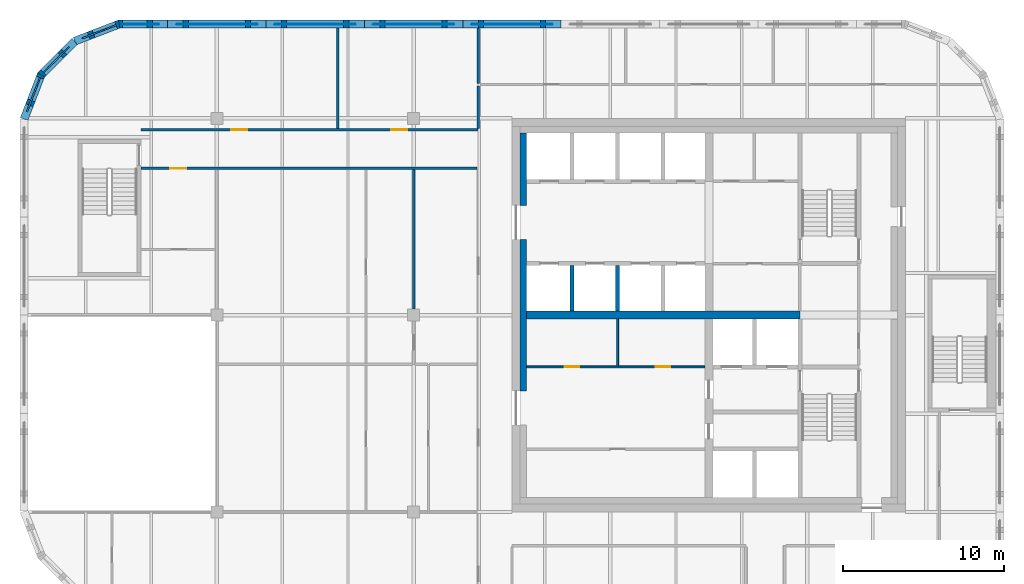
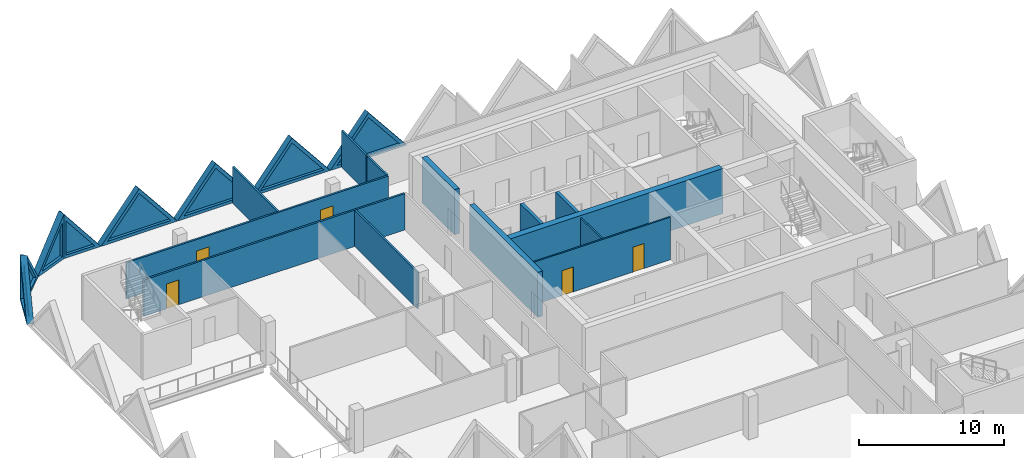
# One storey, part 7 of 11: 21 walls, 8 plates, 5 doors, 13 openings.
"""IFC4 building model written with IfcOpenShell, lengths in metres."""

from ifc_helpers import new_model, si_unit, direction, frame, frame_2d, origin, place, context, subcontext, project, spatial, polyline, rectangle, outline, extrude, faceted_brep, source, transform, mapped, material, layer, layer_set, type_object, element, fill, save


model = new_model("IFC4")

# Units and contexts
model_context = context("Model", 3, precision=1e-05, world=origin(), true_north=direction((0.0, 1.0)))
body_context = subcontext(model_context, "Body", "Model", "MODEL_VIEW")
ifc_project = project(units=[si_unit("LENGTHUNIT", "METRE"), si_unit("AREAUNIT", "SQUARE_METRE"), si_unit("VOLUMEUNIT", "CUBIC_METRE"), si_unit("PLANEANGLEUNIT", "RADIAN"), si_unit("MASSUNIT", "GRAM", prefix="KILO")], contexts=[model_context])

# Site, building, storey
site_placement = place(None, origin())
site = spatial("IfcSite", under=ifc_project, at=site_placement, CompositionType="ELEMENT")
building_placement = place(site_placement, origin())
building = spatial("IfcBuilding", under=site, at=building_placement, Name="Tessera Gate Towers", CompositionType="ELEMENT")
storey_placement = place(building_placement, frame((0.0, 0.0, 197.89990234375)))
storey = spatial("IfcBuildingStorey", under=building, at=storey_placement, Name="L49", CompositionType="ELEMENT", Elevation=197.89990234375)

# Walls
ifc_material_1 = material(Name="Concrete C40/50", Category="concrete")
ifc_layer_1 = layer(ifc_material_1, 0.25)
ifc_layer_set_1 = layer_set([ifc_layer_1], Name="CORE ENCLOSURE WALL 250")
wall_type_1 = type_object("IfcWallType", Name="CORE ENCLOSURE WALL 250", PredefinedType="SOLIDWALL", material=ifc_layer_set_1)
for number, where, z_axis, x_axis, name in (
    (1, (34.22509765625, 36.85009765625, 0.0), (0.0, 0.0, 1.0), (0.0, 1.0, 0.0), "L49 shaft and stair enclosure wall"),
    (2, (37.050048828125, 36.85009765625, 0.0), (0.0, 0.0, 1.0), (0.0, 1.0, 0.0), "L49 shaft and stair enclosure wall"),
):
    element("IfcWall", number, at=place(storey_placement, frame(where, z_axis=z_axis, x_axis=x_axis)), inside=storey, type_object=wall_type_1, Name=name, PredefinedType="SOLIDWALL", context=body_context, shape_type="SweptSolid", body=[
        extrude(rectangle(XDim=2.824951171875, YDim=0.25, at=frame_2d((1.41259765625, 0.0))), origin(), (0.0, 0.0, 1.0), 3.800048828125),
    ])

# Wall, openings, doors
ifc_material_2 = material(Name="Gypsum board on steel studs", Category="steel")
ifc_layer_2 = layer(ifc_material_2, 0.1201171875)
ifc_layer_set_2 = layer_set([ifc_layer_2], Name="CORE PARTITION 120")
wall_type_2 = type_object("IfcWallType", Name="CORE PARTITION 120", PredefinedType="PARTITIONING", material=ifc_layer_set_2)
wall_1_placement = place(storey_placement, frame((31.39990234375, 33.39990234375, 0.0), z_axis=(0.0, 0.0, 1.0), x_axis=(1.0, 0.0, 0.0)))
wall_1 = element("IfcWall", 3, at=wall_1_placement, inside=storey, type_object=wall_type_2, Name="L49 core partition", PredefinedType="PARTITIONING", context=body_context, shape_type="SweptSolid", body=[
    extrude(rectangle(XDim=11.050048828125, YDim=0.1201171875, at=frame_2d((5.52490234375, 0.0))), origin(), (0.0, 0.0, 1.0), 3.60009765625),
])
shared_shape_1 = source(origin(), body_context, "Body", "SweptSolid", [
    extrude(rectangle(XDim=0.89990234375, YDim=2.10009765625, at=frame_2d((0.449951171875, 1.050048828125))), frame((0.0, 0.070068359375, 0.0), z_axis=(0.0, -1.0, 0.0), x_axis=(1.0, 0.0, 0.0)), (0.0, 0.0, 1.0), 0.14013671875),
])
opening_1_placement = place(wall_1_placement, frame((2.375, 0.0, 0.0)))
opening_1 = element("IfcOpeningElement", 4, at=opening_1_placement, cuts=wall_1, Name="Opening RD-T1-31-08", PredefinedType="OPENING", context=body_context, shape_type="MappedRepresentation", body=[
    mapped(shared_shape_1, transform((0.0, 0.0, 0.0), scale=1.0)),
])
opening_2_placement = place(wall_1_placement, frame((8.02490234375, 0.0, 0.0)))
opening_2 = element("IfcOpeningElement", 5, at=opening_2_placement, cuts=wall_1, Name="Opening RD-T1-31-09", PredefinedType="OPENING", context=body_context, shape_type="MappedRepresentation", body=[
    mapped(shared_shape_1, transform((0.0, 0.0, 0.0), scale=1.0)),
])
ifc_material_3 = material(Name="Hollow steel fire door", Category="steel")
door_type_1 = type_object("IfcDoorType", Name="CORE DOOR RD 900x2100", OperationType="NOTDEFINED", PredefinedType="DOOR", material=ifc_material_3)
shared_shape_2 = source(origin(), body_context, "Body", "SweptSolid", [
    extrude(rectangle(XDim=0.89990234375, YDim=2.10009765625, at=frame_2d((0.449951171875, 1.050048828125))), frame((0.0, 0.02490234375, 0.0), z_axis=(0.0, -1.0, 0.0), x_axis=(1.0, 0.0, 0.0)), (0.0, 0.0, 1.0), 0.050048828125),
])
door_1_placement = place(opening_1_placement, origin())
door_1 = element("IfcDoor", 6, at=door_1_placement, inside=storey, type_object=door_type_1, Name="Core room door", OperationType="SINGLE_SWING_LEFT", OverallHeight=2.10009765625, OverallWidth=0.89990234375, PredefinedType="DOOR", context=body_context, shape_type="MappedRepresentation", body=[
    mapped(shared_shape_2, transform((0.0, 0.0, 0.0), scale=1.0)),
])
fill(opening_1, door_1)
door_2_placement = place(opening_2_placement, origin())
door_2 = element("IfcDoor", 7, at=door_2_placement, inside=storey, type_object=door_type_1, Name="Core room door", OperationType="SINGLE_SWING_RIGHT", OverallHeight=2.10009765625, OverallWidth=0.89990234375, PredefinedType="DOOR", context=body_context, shape_type="MappedRepresentation", body=[
    mapped(shared_shape_2, transform((0.0, 0.0, 0.0), scale=1.0)),
])
fill(opening_2, door_2)

# Walls
wall_2_placement = place(storey_placement, frame((37.050048828125, 33.4599609375, 0.0), z_axis=(0.0, 0.0, 1.0), x_axis=(0.0, 1.0, 0.0)))
element("IfcWall", 8, at=wall_2_placement, inside=storey, type_object=wall_type_2, Name="L49 core partition", PredefinedType="PARTITIONING", context=body_context, shape_type="SweptSolid", body=[
    extrude(rectangle(XDim=2.89013671875, YDim=0.1201171875, at=frame_2d((1.445068359375, 0.0))), origin(), (0.0, 0.0, 1.0), 3.60009765625),
])
ifc_material_4 = material(Name="Concrete C50/60", Category="concrete")
ifc_layer_3 = layer(ifc_material_4, 0.5)
ifc_layer_set_3 = layer_set([ifc_layer_3], Name="CORE SPINE WALL 500 C50/60")
wall_type_3 = type_object("IfcWallType", Name="CORE SPINE WALL 500 C50/60", PredefinedType="SHEAR", material=ifc_layer_set_3)
wall_3_placement = place(storey_placement, frame((31.39990234375, 36.60009765625, 0.0), z_axis=(0.0, 0.0, 1.0), x_axis=(1.0, 0.0, 0.0)))
element("IfcWall", 9, at=wall_3_placement, inside=storey, type_object=wall_type_3, Name="Core wall spine L49", PredefinedType="SHEAR", context=body_context, shape_type="SweptSolid", body=[
    extrude(rectangle(XDim=16.9501953125, YDim=0.5, at=frame_2d((8.47509765625, 0.0))), origin(), (0.0, 0.0, 1.0), 3.800048828125),
])
ifc_material_5 = material(Name="Concrete C50/60", Category="concrete")
ifc_layer_4 = layer(ifc_material_5, 0.39990234375)
ifc_layer_set_4 = layer_set([ifc_layer_4], Name="CORE WALL THICKENING 400")
wall_type_4 = type_object("IfcWallType", Name="CORE WALL THICKENING 400", PredefinedType="SOLIDWALL", material=ifc_layer_set_4)
wall_4_placement = place(storey_placement, frame((31.199951171875, 31.89990234375, 0.0), z_axis=(0.0, 0.0, 1.0), x_axis=(0.0, 1.0, 0.0)))
element("IfcWall", 10, at=wall_4_placement, inside=storey, type_object=wall_type_4, Name="Core wall thickening W L49", PredefinedType="SOLIDWALL", context=body_context, shape_type="SweptSolid", body=[
    extrude(rectangle(XDim=9.400146484375, YDim=0.39990234375, at=frame_2d((4.7001953125, 0.0))), origin(), (0.0, 0.0, 1.0), 3.800048828125),
])
wall_5_placement = place(storey_placement, frame((31.199951171875, 43.39990234375, 0.0), z_axis=(0.0, 0.0, 1.0), x_axis=(0.0, 1.0, 0.0)))
element("IfcWall", 11, at=wall_5_placement, inside=storey, type_object=wall_type_4, Name="Core wall thickening W L49", PredefinedType="SOLIDWALL", context=body_context, shape_type="SweptSolid", body=[
    extrude(rectangle(XDim=4.5, YDim=0.39990234375, at=frame_2d((2.25, 0.0))), origin(), (0.0, 0.0, 1.0), 3.800048828125),
])

# Wall, opening, door
ifc_material_6 = material(Name="Gypsum board on steel studs, mineral wool", Category="steel")
ifc_layer_5 = layer(ifc_material_6, 0.14990234375)
ifc_layer_set_5 = layer_set([ifc_layer_5], Name="CORRIDOR WALL 150")
wall_type_5 = type_object("IfcWallType", Name="CORRIDOR WALL 150", PredefinedType="PARTITIONING", material=ifc_layer_set_5)
wall_6_placement = place(storey_placement, frame((28.323974609375, 45.699951171875, 0.0), z_axis=(0.0, 0.0, 1.0), x_axis=(-1.0, 0.0, 0.0)))
wall_6 = element("IfcWall", 12, at=wall_6_placement, inside=storey, type_object=wall_type_5, Name="T1-L49-PW-043", PredefinedType="PARTITIONING", context=body_context, shape_type="SweptSolid", body=[
    extrude(rectangle(XDim=20.823974609375, YDim=0.14990234375, at=frame_2d((10.412109375, 0.0))), origin(), (0.0, 0.0, 1.0), 3.067138671875),
])
shared_shape_3 = source(origin(), body_context, "Body", "SweptSolid", [
    extrude(rectangle(XDim=1.0, YDim=2.10009765625, at=frame_2d((0.5, 1.050048828125))), frame((0.0, 0.0849609375, 0.0), z_axis=(0.0, -1.0, 0.0), x_axis=(1.0, 0.0, 0.0)), (0.0, 0.0, 1.0), 0.169921875),
])
opening_3_placement = place(wall_6_placement, frame((18.02392578125, 0.0, 0.0)))
opening_3 = element("IfcOpeningElement", 13, at=opening_3_placement, cuts=wall_6, Name="Opening D2100FD60-A18-01", PredefinedType="OPENING", context=body_context, shape_type="MappedRepresentation", body=[
    mapped(shared_shape_3, transform((0.0, 0.0, 0.0), scale=1.0)),
])
ifc_material_7 = material(Name="Timber door leaf in steel frame", Category="steel")
door_type_2 = type_object("IfcDoorType", Name="TENANCY ENTRANCE DOOR 1000 FD60", OperationType="NOTDEFINED", PredefinedType="DOOR", material=ifc_material_7)
shared_shape_4 = source(origin(), body_context, "Body", "SweptSolid", [
    extrude(rectangle(XDim=1.0, YDim=2.10009765625, at=frame_2d((0.5, 1.050048828125))), frame((0.0, 0.02490234375, 0.0), z_axis=(0.0, -1.0, 0.0), x_axis=(1.0, 0.0, 0.0)), (0.0, 0.0, 1.0), 0.050048828125),
])
door_3_placement = place(opening_3_placement, origin())
door_3 = element("IfcDoor", 14, at=door_3_placement, inside=storey, type_object=door_type_2, Name="T1-L49-PD-006", OperationType="SINGLE_SWING_RIGHT", OverallHeight=2.10009765625, OverallWidth=1.0, PredefinedType="DOOR", context=body_context, shape_type="MappedRepresentation", body=[
    mapped(shared_shape_4, transform((0.0, 0.0, 0.0), scale=1.0)),
])
fill(opening_3, door_3)

# Wall, openings, doors
wall_7_placement = place(storey_placement, frame((7.5, 48.10009765625, 0.0), z_axis=(0.0, 0.0, 1.0), x_axis=(1.0, 0.0, 0.0)))
wall_7 = element("IfcWall", 15, at=wall_7_placement, inside=storey, type_object=wall_type_5, Name="T1-L49-PW-044", PredefinedType="PARTITIONING", context=body_context, shape_type="SweptSolid", body=[
    extrude(rectangle(XDim=20.89990234375, YDim=0.14990234375, at=frame_2d((10.449951171875, 0.0))), origin(), (0.0, 0.0, 1.0), 3.067138671875),
])
opening_4_placement = place(wall_7_placement, frame((15.5009765625, 0.0, 0.0)))
opening_4 = element("IfcOpeningElement", 16, at=opening_4_placement, cuts=wall_7, Name="Opening D2100FD60-A18-03", PredefinedType="OPENING", context=body_context, shape_type="MappedRepresentation", body=[
    mapped(shared_shape_3, transform((0.0, 0.0, 0.0), scale=1.0)),
])
opening_5_placement = place(wall_7_placement, frame((5.60009765625, 0.0, 0.0)))
opening_5 = element("IfcOpeningElement", 17, at=opening_5_placement, cuts=wall_7, Name="Opening D2100FD60-A18-07", PredefinedType="OPENING", context=body_context, shape_type="MappedRepresentation", body=[
    mapped(shared_shape_3, transform((0.0, 0.0, 0.0), scale=1.0)),
])
door_4_placement = place(opening_4_placement, origin())
door_4 = element("IfcDoor", 18, at=door_4_placement, inside=storey, type_object=door_type_2, Name="T1-L49-PD-013", OperationType="SINGLE_SWING_LEFT", OverallHeight=2.10009765625, OverallWidth=1.0, PredefinedType="DOOR", context=body_context, shape_type="MappedRepresentation", body=[
    mapped(shared_shape_4, transform((0.0, 0.0, 0.0), scale=1.0)),
])
fill(opening_4, door_4)
door_5_placement = place(opening_5_placement, origin())
door_5 = element("IfcDoor", 19, at=door_5_placement, inside=storey, type_object=door_type_2, Name="T1-L49-PD-025", OperationType="SINGLE_SWING_LEFT", OverallHeight=2.10009765625, OverallWidth=1.0, PredefinedType="DOOR", context=body_context, shape_type="MappedRepresentation", body=[
    mapped(shared_shape_4, transform((0.0, 0.0, 0.0), scale=1.0)),
])
fill(opening_5, door_5)

# Walls
wall_8_placement = place(storey_placement, frame((28.39990234375, 48.176025390625, 0.0), z_axis=(0.0, 0.0, 1.0), x_axis=(0.0, 1.0, 0.0)))
element("IfcWall", 20, at=wall_8_placement, inside=storey, type_object=wall_type_5, Name="T1-L49-PW-046", PredefinedType="PARTITIONING", context=body_context, shape_type="SweptSolid", body=[
    extrude(rectangle(XDim=2.64794921875, YDim=0.14990234375, at=frame_2d((1.323974609375, 0.0))), origin(), (0.0, 0.0, 1.0), 3.067138671875),
])
ifc_material_8 = material(Name="Gypsum board on steel studs, mineral wool", Category="steel")
ifc_layer_6 = layer(ifc_material_8, 0.14990234375)
ifc_layer_set_6 = layer_set([ifc_layer_6], Name="TENANCY WALL 150")
wall_type_6 = type_object("IfcWallType", Name="TENANCY WALL 150", PredefinedType="PARTITIONING", material=ifc_layer_set_6)
wall_9_placement = place(storey_placement, frame((24.39990234375, 36.97607421875, 0.0), z_axis=(0.0, 0.0, 1.0), x_axis=(0.0, 1.0, 0.0)))
element("IfcWall", 21, at=wall_9_placement, inside=storey, type_object=wall_type_6, Name="T1-L49-PW-041", PredefinedType="PARTITIONING", context=body_context, shape_type="SweptSolid", body=[
    extrude(rectangle(XDim=8.64794921875, YDim=0.14990234375, at=frame_2d((4.323974609375, 0.0))), origin(), (0.0, 0.0, 1.0), 3.067138671875),
])
wall_10_placement = place(storey_placement, frame((19.699951171875, 48.176025390625, 0.0), z_axis=(0.0, 0.0, 1.0), x_axis=(0.0, 1.0, 0.0)))
element("IfcWall", 22, at=wall_10_placement, inside=storey, type_object=wall_type_6, Name="T1-L49-PW-045", PredefinedType="PARTITIONING", context=body_context, shape_type="SweptSolid", body=[
    extrude(rectangle(XDim=6.223876953125, YDim=0.14990234375, at=frame_2d((3.11181640625, 0.0))), origin(), (0.0, 0.0, 1.0), 3.067138671875),
])
wall_11_placement = place(storey_placement, frame((28.39990234375, 50.97607421875, 0.0), z_axis=(0.0, 0.0, 1.0), x_axis=(0.0, 1.0, 0.0)))
element("IfcWall", 23, at=wall_11_placement, inside=storey, type_object=wall_type_6, Name="T1-L49-PW-048", PredefinedType="PARTITIONING", context=body_context, shape_type="SweptSolid", body=[
    extrude(rectangle(XDim=3.423828125, YDim=0.14990234375, at=frame_2d((1.7119140625, 0.0))), origin(), (0.0, 0.0, 1.0), 3.067138671875),
])

# Wall, opening, plate
ifc_material_9 = material(Name="Precast concrete C60/75 white", Category="concrete")
ifc_layer_7 = layer(ifc_material_9, 0.5)
ifc_layer_set_7 = layer_set([ifc_layer_7], Name="TS2 half tessera")
wall_type_7 = type_object("IfcWallType", Name="TS2 half tessera", PredefinedType="SOLIDWALL", material=ifc_layer_set_7)
shared_shape_5 = source(origin(), body_context, "Body", "Brep", [
    faceted_brep([(6.099853515625, -0.25, 0.000244140625), (3.050048828125, -0.25, 3.800048828125), (0.0, -0.25, 0.0), (6.099853515625, -0.25, 0.0), (0.0, 0.25, 0.0), (3.050048828125, 0.25, 3.800048828125), (6.099853515625, 0.25, 0.000244140625), (6.099853515625, 0.25, 0.0)], [[[0, 1, 2, 3]], [[4, 5, 6, 7]], [[6, 5, 1, 0]], [[5, 4, 2, 1]], [[4, 7, 3, 2]], [[3, 7, 6, 0]]]),
])
wall_12_placement = place(storey_placement, frame((27.449951171875, 54.64990234375, 0.0), z_axis=(0.0, 0.0, 1.0), x_axis=(-1.0, 0.0, 0.0)))
wall_12 = element("IfcWall", 24, at=wall_12_placement, inside=storey, type_object=wall_type_7, Name="Precast half tessera T1 TS2-0244", PredefinedType="SOLIDWALL", context=body_context, shape_type="MappedRepresentation", body=[
    mapped(shared_shape_5, transform((0.0, 0.0, 0.0), scale=1.0)),
])
shared_shape_6 = source(origin(), body_context, "Body", "SweptSolid", [
    extrude(outline(polyline([(5.578857421875, 0.25), (3.050048828125, 3.400634765625), (0.521240234375, 0.25), (5.578857421875, 0.25)])), frame((0.0, 0.260009765625, 0.0), z_axis=(0.0, -1.0, 0.0), x_axis=(1.0, 0.0, 0.0)), (0.0, 0.0, 1.0), 0.52001953125),
])
opening_6_placement = place(wall_12_placement, origin())
opening_6 = element("IfcOpeningElement", 25, at=opening_6_placement, cuts=wall_12, Name="Opening T1-PL1-0494", PredefinedType="OPENING", context=body_context, shape_type="MappedRepresentation", body=[
    mapped(shared_shape_6, transform((0.0, 0.0, 0.0), scale=1.0)),
])
ifc_material_10 = material(Name="Low-e laminated glass", Category="glass")
ifc_layer_8 = layer(ifc_material_10, 0.06005859375)
ifc_layer_set_8 = layer_set([ifc_layer_8], Name="PL1 triangular pane")
plate_type = type_object("IfcPlateType", Name="PL1 triangular pane", PredefinedType="SHEET", material=ifc_layer_set_8)
shared_shape_7 = source(origin(), body_context, "Body", "SweptSolid", [
    extrude(outline(polyline([(5.578857421875, 0.25), (3.050048828125, 3.400634765625), (0.521240234375, 0.25), (5.578857421875, 0.25)])), frame((0.0, 0.030029296875, 0.0), z_axis=(0.0, -1.0, 0.0), x_axis=(1.0, 0.0, 0.0)), (0.0, 0.0, 1.0), 0.06005859375),
])
plate_1_placement = place(opening_6_placement, origin())
plate_1 = element("IfcPlate", 26, at=plate_1_placement, inside=storey, type_object=plate_type, Name="Glass pane T1 PL1-0494", PredefinedType="SHEET", context=body_context, shape_type="MappedRepresentation", body=[
    mapped(shared_shape_7, transform((0.0, 0.0, 0.0), scale=1.0)),
])
fill(opening_6, plate_1)

shared_shape_8 = source(origin(), body_context, "Body", "SweptSolid", [
    extrude(outline(polyline([(6.10009765625, 0.0), (3.050048828125, 3.800048828125), (0.0, 0.0), (6.10009765625, 0.0)])), frame((0.0, 0.25, 0.0), z_axis=(0.0, -1.0, 0.0), x_axis=(1.0, 0.0, 0.0)), (0.0, 0.0, 1.0), 0.5),
])
wall_13_placement = place(storey_placement, frame((33.550048828125, 54.64990234375, 0.0), z_axis=(0.0, 0.0, 1.0), x_axis=(-1.0, 0.0, 0.0)))
wall_13 = element("IfcWall", 27, at=wall_13_placement, inside=storey, type_object=wall_type_7, Name="Precast half tessera T1 TS2-0243", PredefinedType="SOLIDWALL", context=body_context, shape_type="MappedRepresentation", body=[
    mapped(shared_shape_8, transform((0.0, 0.0, 0.0), scale=1.0)),
])
opening_7_placement = place(wall_13_placement, origin())
opening_7 = element("IfcOpeningElement", 28, at=opening_7_placement, cuts=wall_13, Name="Opening T1-PL1-0493", PredefinedType="OPENING", context=body_context, shape_type="MappedRepresentation", body=[
    mapped(shared_shape_6, transform((0.0, 0.0, 0.0), scale=1.0)),
])
plate_2_placement = place(opening_7_placement, origin())
plate_2 = element("IfcPlate", 29, at=plate_2_placement, inside=storey, type_object=plate_type, Name="Glass pane T1 PL1-0493", PredefinedType="SHEET", context=body_context, shape_type="MappedRepresentation", body=[
    mapped(shared_shape_7, transform((0.0, 0.0, 0.0), scale=1.0)),
])
fill(opening_7, plate_2)

wall_14_placement = place(storey_placement, frame((21.35009765625, 54.64990234375, 0.0), z_axis=(0.0, 0.0, 1.0), x_axis=(-1.0, 0.0, 0.0)))
wall_14 = element("IfcWall", 30, at=wall_14_placement, inside=storey, type_object=wall_type_7, Name="Precast half tessera T1 TS2-0245", PredefinedType="SOLIDWALL", context=body_context, shape_type="MappedRepresentation", body=[
    mapped(shared_shape_8, transform((0.0, 0.0, 0.0), scale=1.0)),
])
opening_8_placement = place(wall_14_placement, origin())
opening_8 = element("IfcOpeningElement", 31, at=opening_8_placement, cuts=wall_14, Name="Opening T1-PL1-0495", PredefinedType="OPENING", context=body_context, shape_type="MappedRepresentation", body=[
    mapped(shared_shape_6, transform((0.0, 0.0, 0.0), scale=1.0)),
])
plate_3_placement = place(opening_8_placement, origin())
plate_3 = element("IfcPlate", 32, at=plate_3_placement, inside=storey, type_object=plate_type, Name="Glass pane T1 PL1-0495", PredefinedType="SHEET", context=body_context, shape_type="MappedRepresentation", body=[
    mapped(shared_shape_7, transform((0.0, 0.0, 0.0), scale=1.0)),
])
fill(opening_8, plate_3)

wall_15_placement = place(storey_placement, frame((15.25, 54.64990234375, 0.0), z_axis=(0.0, 0.0, 1.0), x_axis=(-1.0, 0.0, 0.0)))
wall_15 = element("IfcWall", 33, at=wall_15_placement, inside=storey, type_object=wall_type_7, Name="Precast half tessera T1 TS2-0246", PredefinedType="SOLIDWALL", context=body_context, shape_type="MappedRepresentation", body=[
    mapped(shared_shape_8, transform((0.0, 0.0, 0.0), scale=1.0)),
])
opening_9_placement = place(wall_15_placement, origin())
opening_9 = element("IfcOpeningElement", 34, at=opening_9_placement, cuts=wall_15, Name="Opening T1-PL1-0496", PredefinedType="OPENING", context=body_context, shape_type="MappedRepresentation", body=[
    mapped(shared_shape_6, transform((0.0, 0.0, 0.0), scale=1.0)),
])
plate_4_placement = place(opening_9_placement, origin())
plate_4 = element("IfcPlate", 35, at=plate_4_placement, inside=storey, type_object=plate_type, Name="Glass pane T1 PL1-0496", PredefinedType="SHEET", context=body_context, shape_type="MappedRepresentation", body=[
    mapped(shared_shape_7, transform((0.0, 0.0, 0.0), scale=1.0)),
])
fill(opening_9, plate_4)

ifc_material_11 = material(Name="Precast concrete C60/75 white", Category="concrete")
ifc_layer_9 = layer(ifc_material_11, 0.5)
ifc_layer_set_9 = layer_set([ifc_layer_9], Name="TS3 corner tessera")
wall_type_8 = type_object("IfcWallType", Name="TS3 corner tessera", PredefinedType="SOLIDWALL", material=ifc_layer_set_9)
shared_shape_9 = source(origin(), body_context, "Body", "Brep", [
    faceted_brep([(3.050048828125, -0.25, 3.739990234375), (3.00341796875, -0.25, 3.800048828125), (0.0, -0.25, 0.0), (3.050048828125, -0.25, 0.0), (0.0, 0.25, 0.0), (2.956787109375, 0.25, 3.7412109375), (2.956787109375, 0.25, 0.0), (3.00341796875, 0.000244140625, 3.800048828125)], [[[0, 1, 2, 3]], [[4, 5, 6]], [[7, 1, 0]], [[5, 4, 2, 1, 7]], [[4, 6, 3, 2]], [[3, 6, 5, 7, 0]]]),
])
wall_16_placement = place(storey_placement, frame((9.14990234375, 54.64990234375, 0.0), z_axis=(0.0, 0.0, 1.0), x_axis=(-1.0, 0.0, 0.0)))
wall_16 = element("IfcWall", 36, at=wall_16_placement, inside=storey, type_object=wall_type_8, Name="Precast corner tessera T1 TS3-1139", PredefinedType="SOLIDWALL", context=body_context, shape_type="MappedRepresentation", body=[
    mapped(shared_shape_9, transform((0.0, 0.0, 0.0), scale=1.0)),
])
shared_shape_10 = source(origin(), body_context, "Body", "SweptSolid", [
    extrude(outline(polyline([(2.803466796875, 3.143798828125), (0.516357421875, 0.25), (2.803466796875, 0.25), (2.803466796875, 3.143798828125)])), frame((0.0, 0.260009765625, 0.0), z_axis=(0.0, -1.0, 0.0), x_axis=(1.0, 0.0, 0.0)), (0.0, 0.0, 1.0), 0.52001953125),
])
opening_10_placement = place(wall_16_placement, origin())
opening_10 = element("IfcOpeningElement", 37, at=opening_10_placement, cuts=wall_16, Name="Opening T1-PL1-0497", PredefinedType="OPENING", context=body_context, shape_type="MappedRepresentation", body=[
    mapped(shared_shape_10, transform((0.0, 0.0, 0.0), scale=1.0)),
])
shared_shape_11 = source(origin(), body_context, "Body", "SweptSolid", [
    extrude(outline(polyline([(2.803466796875, 3.143798828125), (0.516357421875, 0.25), (2.803466796875, 0.25), (2.803466796875, 3.143798828125)])), frame((0.0, 0.030029296875, 0.0), z_axis=(0.0, -1.0, 0.0), x_axis=(1.0, 0.0, 0.0)), (0.0, 0.0, 1.0), 0.06005859375),
])
plate_5_placement = place(opening_10_placement, origin())
plate_5 = element("IfcPlate", 38, at=plate_5_placement, inside=storey, type_object=plate_type, Name="Glass pane T1 PL1-0497", PredefinedType="SHEET", context=body_context, shape_type="MappedRepresentation", body=[
    mapped(shared_shape_11, transform((0.0, 0.0, 0.0), scale=1.0)),
])
fill(opening_10, plate_5)

shared_shape_12 = source(origin(), body_context, "Body", "Brep", [
    faceted_brep([(2.9970703125, -0.25, 0.0), (0.046630859375, -0.25, 3.800048828125), (0.0, -0.25, 3.7412109375), (0.0, -0.25, 0.0), (0.09326171875, 0.25, 3.739990234375), (2.9443359375, 0.25, 0.068115234375), (2.9443359375, 0.25, 0.0), (0.09326171875, 0.25, 0.0), (0.046630859375, 0.0, 3.800048828125), (2.9970703125, 0.00048828125, 0.0)], [[[0, 1, 2, 3]], [[4, 5, 6, 7]], [[5, 4, 8, 1, 0, 9]], [[2, 1, 8]], [[7, 6, 9, 0, 3]], [[7, 3, 2, 8, 4]], [[9, 6, 5]]]),
])
wall_17_placement = place(storey_placement, frame((6.18994140625, 54.666748046875, 0.0), z_axis=(0.0, 0.0, 1.0), x_axis=(-0.932990326376, -0.359901446078, 0.0)))
wall_17 = element("IfcWall", 39, at=wall_17_placement, inside=storey, type_object=wall_type_8, Name="Precast corner tessera T1 TS3-1140", PredefinedType="SOLIDWALL", context=body_context, shape_type="MappedRepresentation", body=[
    mapped(shared_shape_12, transform((0.0, 0.0, 0.0), scale=1.0)),
])
shared_shape_13 = source(origin(), body_context, "Body", "SweptSolid", [
    extrude(outline(polyline([(2.486572265625, 0.25), (0.24658203125, 3.134765625), (0.24658203125, 0.25), (2.486572265625, 0.25)])), frame((0.0, 0.260009765625, 0.0), z_axis=(0.0, -1.0, 0.0), x_axis=(1.0, 0.0, 0.0)), (0.0, 0.0, 1.0), 0.52001953125),
])
opening_11_placement = place(wall_17_placement, origin())
opening_11 = element("IfcOpeningElement", 40, at=opening_11_placement, cuts=wall_17, Name="Opening T1-PL1-0498", PredefinedType="OPENING", context=body_context, shape_type="MappedRepresentation", body=[
    mapped(shared_shape_13, transform((0.0, 0.0, 0.0), scale=1.0)),
])
shared_shape_14 = source(origin(), body_context, "Body", "SweptSolid", [
    extrude(outline(polyline([(2.486572265625, 0.25), (0.24658203125, 3.134765625), (0.24658203125, 0.25), (2.486572265625, 0.25)])), frame((0.0, 0.030029296875, 0.0), z_axis=(0.0, -1.0, 0.0), x_axis=(1.0, 0.0, 0.0)), (0.0, 0.0, 1.0), 0.06005859375),
])
plate_6_placement = place(opening_11_placement, origin())
plate_6 = element("IfcPlate", 41, at=plate_6_placement, inside=storey, type_object=plate_type, Name="Glass pane T1 PL1-0498", PredefinedType="SHEET", context=body_context, shape_type="MappedRepresentation", body=[
    mapped(shared_shape_14, transform((0.0, 0.0, 0.0), scale=1.0)),
])
fill(opening_11, plate_6)

shared_shape_15 = source(origin(), body_context, "Body", "Brep", [
    faceted_brep([(3.00341796875, -0.25, 0.0), (0.052978515625, -0.25, 3.800048828125), (0.0, -0.25, 3.731689453125), (0.0, -0.25, 0.0), (0.10595703125, 0.25, 3.73193359375), (2.95703125, 0.25, 0.059814453125), (2.95703125, 0.25, 0.0), (0.10595703125, 0.25, 0.0), (0.052978515625, 0.0, 3.800048828125), (3.00341796875, 0.00048828125, 0.0)], [[[0, 1, 2, 3]], [[4, 5, 6, 7]], [[5, 4, 8, 1, 0, 9]], [[2, 1, 8]], [[7, 6, 9, 0, 3]], [[7, 3, 2, 8, 4]], [[9, 6, 5]]]),
])
wall_18_placement = place(storey_placement, frame((1.3310546875, 51.5556640625, 0.0), z_axis=(0.0, 0.0, 1.0), x_axis=(-0.35992665181, -0.932980602862, 0.0)))
wall_18 = element("IfcWall", 42, at=wall_18_placement, inside=storey, type_object=wall_type_8, Name="Precast corner tessera T1 TS3-1142", PredefinedType="SOLIDWALL", context=body_context, shape_type="MappedRepresentation", body=[
    mapped(shared_shape_15, transform((0.0, 0.0, 0.0), scale=1.0)),
])
shared_shape_16 = source(origin(), body_context, "Body", "SweptSolid", [
    extrude(outline(polyline([(2.492919921875, 0.25), (0.2529296875, 3.134765625), (0.2529296875, 0.25), (2.492919921875, 0.25)])), frame((0.0, 0.260009765625, 0.0), z_axis=(0.0, -1.0, 0.0), x_axis=(1.0, 0.0, 0.0)), (0.0, 0.0, 1.0), 0.52001953125),
])
opening_12_placement = place(wall_18_placement, origin())
opening_12 = element("IfcOpeningElement", 43, at=opening_12_placement, cuts=wall_18, Name="Opening T1-PL1-0500", PredefinedType="OPENING", context=body_context, shape_type="MappedRepresentation", body=[
    mapped(shared_shape_16, transform((0.0, 0.0, 0.0), scale=1.0)),
])
shared_shape_17 = source(origin(), body_context, "Body", "SweptSolid", [
    extrude(outline(polyline([(2.492919921875, 0.25), (0.2529296875, 3.134765625), (0.2529296875, 0.25), (2.492919921875, 0.25)])), frame((0.0, 0.030029296875, 0.0), z_axis=(0.0, -1.0, 0.0), x_axis=(1.0, 0.0, 0.0)), (0.0, 0.0, 1.0), 0.06005859375),
])
plate_7_placement = place(opening_12_placement, origin())
plate_7 = element("IfcPlate", 44, at=plate_7_placement, inside=storey, type_object=plate_type, Name="Glass pane T1 PL1-0500", PredefinedType="SHEET", context=body_context, shape_type="MappedRepresentation", body=[
    mapped(shared_shape_17, transform((0.0, 0.0, 0.0), scale=1.0)),
])
fill(opening_12, plate_7)

shared_shape_18 = source(origin(), body_context, "Body", "Brep", [
    faceted_brep([(2.9970703125, -0.25, 3.73193359375), (2.944091796875, -0.25, 3.800048828125), (0.0, -0.25, 0.0), (2.9970703125, -0.25, 0.0), (0.052978515625, 0.25, 0.068359375), (2.89111328125, 0.25, 3.73193359375), (2.89111328125, 0.25, 0.0), (0.052978515625, 0.25, 0.0), (2.944091796875, 0.000244140625, 3.800048828125), (0.0, 0.0, 0.0)], [[[0, 1, 2, 3]], [[4, 5, 6, 7]], [[8, 1, 0]], [[5, 4, 9, 2, 1, 8]], [[7, 6, 3, 2, 9]], [[7, 9, 4]], [[3, 6, 5, 8, 0]]]),
])
wall_19_placement = place(storey_placement, frame((3.393798828125, 53.588134765625, 0.0), z_axis=(0.0, 0.0, 1.0), x_axis=(-0.707106781187, -0.707106781187, 0.0)))
wall_19 = element("IfcWall", 45, at=wall_19_placement, inside=storey, type_object=wall_type_8, Name="Precast corner tessera T1 TS3-1141", PredefinedType="SOLIDWALL", context=body_context, shape_type="MappedRepresentation", body=[
    mapped(shared_shape_18, transform((0.0, 0.0, 0.0), scale=1.0)),
])
shared_shape_19 = source(origin(), body_context, "Body", "SweptSolid", [
    extrude(outline(polyline([(2.744140625, 3.1337890625), (0.510009765625, 0.25), (2.744140625, 0.25), (2.744140625, 3.1337890625)])), frame((0.0, 0.260009765625, 0.0), z_axis=(0.0, -1.0, 0.0), x_axis=(1.0, 0.0, 0.0)), (0.0, 0.0, 1.0), 0.52001953125),
])
opening_13_placement = place(wall_19_placement, origin())
opening_13 = element("IfcOpeningElement", 46, at=opening_13_placement, cuts=wall_19, Name="Opening T1-PL1-0499", PredefinedType="OPENING", context=body_context, shape_type="MappedRepresentation", body=[
    mapped(shared_shape_19, transform((0.0, 0.0, 0.0), scale=1.0)),
])
shared_shape_20 = source(origin(), body_context, "Body", "SweptSolid", [
    extrude(outline(polyline([(2.744140625, 3.1337890625), (0.510009765625, 0.25), (2.744140625, 0.25), (2.744140625, 3.1337890625)])), frame((0.0, 0.030029296875, 0.0), z_axis=(0.0, -1.0, 0.0), x_axis=(1.0, 0.0, 0.0)), (0.0, 0.0, 1.0), 0.06005859375),
])
plate_8_placement = place(opening_13_placement, origin())
plate_8 = element("IfcPlate", 47, at=plate_8_placement, inside=storey, type_object=plate_type, Name="Glass pane T1 PL1-0499", PredefinedType="SHEET", context=body_context, shape_type="MappedRepresentation", body=[
    mapped(shared_shape_20, transform((0.0, 0.0, 0.0), scale=1.0)),
])
fill(opening_13, plate_8)

save(model, "model.ifc")
